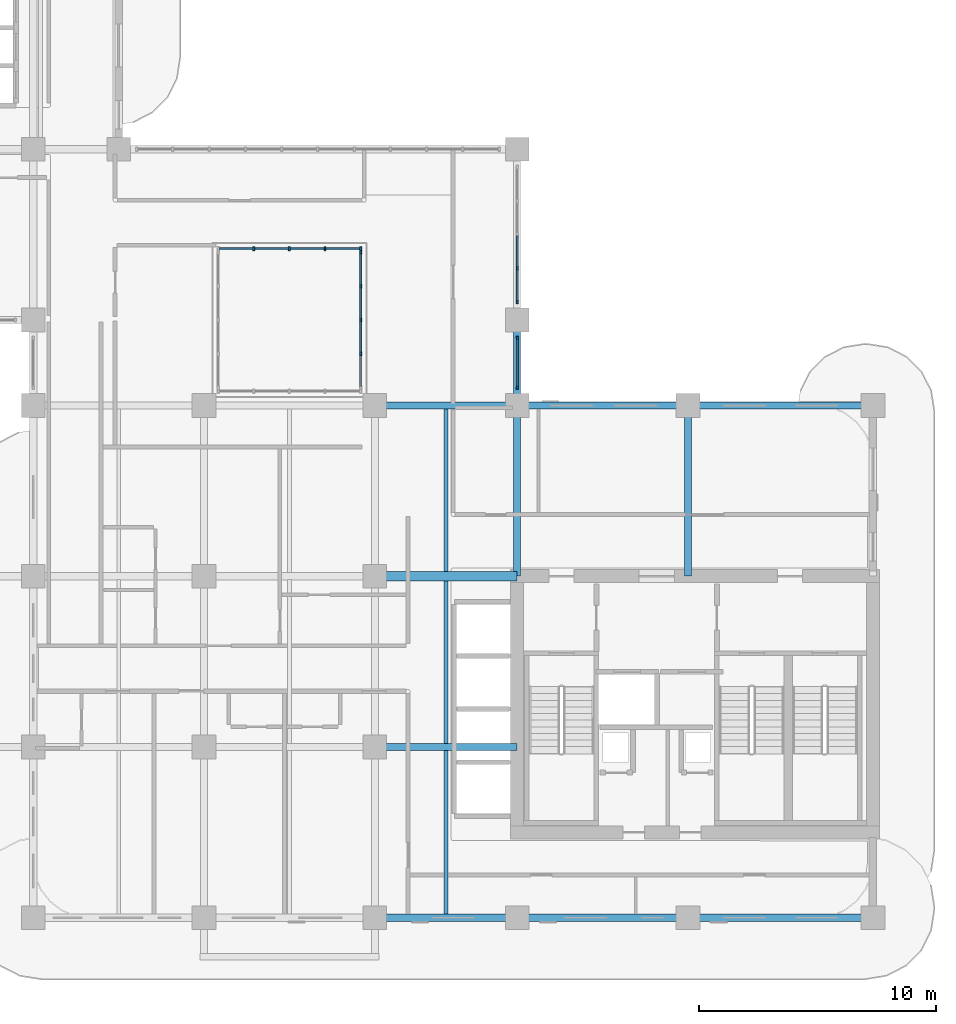
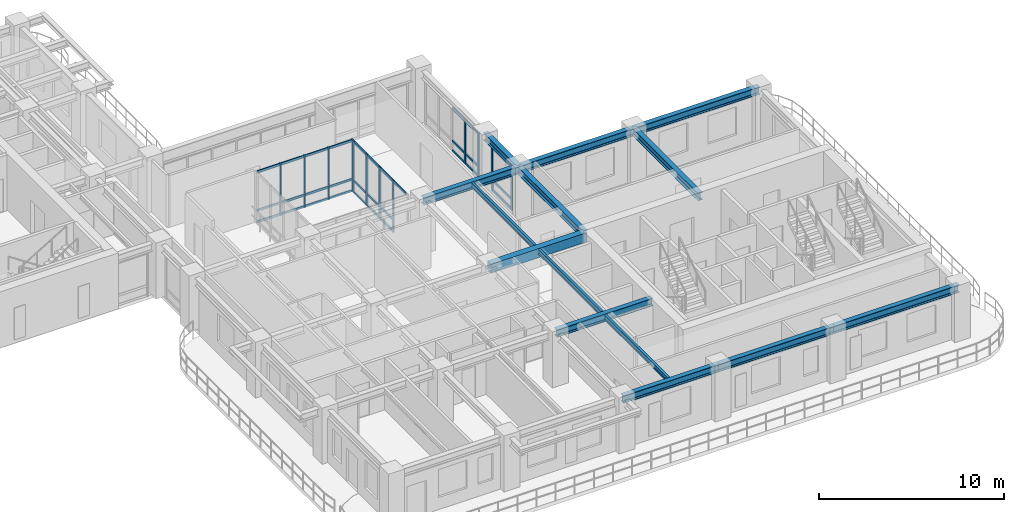
# One storey, part 3 of 20: 43 members, 14 beams, 4 elements without a shape of their own.
"""IFC4 building model written with IfcOpenShell, lengths in metres."""

import ifcopenshell
import ifcopenshell.guid

model = None  # the IFC model being written
_history = None  # IfcOwnerHistory: only IFC2X3 demands one
_inside = {}  # id of a spatial element -> (the spatial element, [elements in it])
_under = {}  # id of a project, library or spatial element -> (it, [spatial elements below it])
_declared = {}  # id of a project -> (the project, [libraries it declares])
_typed = {}  # id of a type object -> (the type object, [elements of that type])
_made_of = {}  # id of a material, layer set ... -> (it, [elements and type objects made of it])


def new_model(schema):
    """Start an empty IFC model of exactly this schema.

    Asked for "IFC4X3", IfcOpenShell would pick the latest addendum, in which some entities
    have other attributes; the version numbers below select the first issue.
    IFC2X3 requires an IfcOwnerHistory on every rooted entity: one is made here for all.
    """
    global model, _history
    if schema == "IFC4X3":
        model = ifcopenshell.file(schema_version=(4, 3, 0, 0))
    else:
        model = ifcopenshell.file(schema=schema)
    _inside.clear()
    _under.clear()
    _declared.clear()
    _typed.clear()
    _made_of.clear()
    _history = None
    if model.schema == "IFC2X3":
        org = make("IfcOrganization", Name="unknown")
        user = make(
            "IfcPersonAndOrganization",
            ThePerson=make("IfcPerson", FamilyName="unknown"),
            TheOrganization=org,
        )
        app = make(
            "IfcApplication",
            ApplicationDeveloper=org,
            Version="unknown",
            ApplicationFullName="unknown",
            ApplicationIdentifier="unknown",
        )
        _history = make(
            "IfcOwnerHistory",
            OwningUser=user,
            OwningApplication=app,
            ChangeAction="ADDED",
            CreationDate=0,
        )
    return model


def make(cls, **values):
    """One entity of the class cls with the attributes given. An attribute that is None is left unset."""
    return model.create_entity(
        cls, **{name: value for name, value in values.items() if value is not None}
    )


def rooted(cls, **values):
    """An entity with a GlobalId (a new one), such as an element, a storey or a relation."""
    return make(cls, GlobalId=ifcopenshell.guid.new(), OwnerHistory=_history, **values)


def si_unit(unit_type, name, prefix=None):
    """IfcSIUnit, for example si_unit("LENGTHUNIT", "METRE", prefix="MILLI")."""
    return make("IfcSIUnit", UnitType=unit_type, Prefix=prefix, Name=name)


def derived_unit(unit_type, elements):
    """IfcDerivedUnit: a product of units, each with its exponent."""
    return make(
        "IfcDerivedUnit",
        Elements=[
            make("IfcDerivedUnitElement", Unit=unit, Exponent=power)
            for unit, power in elements
        ],
        UnitType=unit_type,
    )


def assignment(units):
    """IfcUnitAssignment: the units of a project."""
    return None if units is None else make("IfcUnitAssignment", Units=units)


def point(xyz):
    """IfcCartesianPoint."""
    return None if xyz is None else make("IfcCartesianPoint", Coordinates=xyz)


def direction(xyz):
    """IfcDirection."""
    return None if xyz is None else make("IfcDirection", DirectionRatios=xyz)


def frame(location, z_axis=None, x_axis=None):
    """IfcAxis2Placement3D, a coordinate frame: its origin and axes. An axis left out is left unset."""
    return make(
        "IfcAxis2Placement3D",
        Location=point(location),
        Axis=direction(z_axis),
        RefDirection=direction(x_axis),
    )


def frame_2d(location, x_axis=None):
    """IfcAxis2Placement2D, a coordinate frame in the plane: its origin and x axis."""
    return make(
        "IfcAxis2Placement2D", Location=point(location), RefDirection=direction(x_axis)
    )


def origin():
    """The frame at (0, 0, 0) with its axes left unset."""
    return frame((0.0, 0.0, 0.0))


def origin_2d():
    """The frame at (0, 0) in the plane with its x axis left unset."""
    return frame_2d((0.0, 0.0))


def place(relative_to, where):
    """IfcLocalPlacement: puts the frame where relative to a parent placement (None: the world)."""
    return make(
        "IfcLocalPlacement", PlacementRelTo=relative_to, RelativePlacement=where
    )


def context(
    kind, dimensions, precision=None, world=None, true_north=None, identifier=None
):
    """IfcGeometricRepresentationContext, for example the 3D "Model" context."""
    return make(
        "IfcGeometricRepresentationContext",
        ContextIdentifier=identifier,
        ContextType=kind,
        CoordinateSpaceDimension=dimensions,
        Precision=precision,
        WorldCoordinateSystem=world,
        TrueNorth=true_north,
    )


def subcontext(parent, identifier, kind, view, scale=None):
    """IfcGeometricRepresentationSubContext, for example "Body" below "Model"."""
    return make(
        "IfcGeometricRepresentationSubContext",
        ContextIdentifier=identifier,
        ContextType=kind,
        ParentContext=parent,
        TargetScale=scale,
        TargetView=view,
    )


def project(units=None, contexts=None):
    """IfcProject with its units and contexts."""
    return rooted(
        "IfcProject",
        Name="project",
        RepresentationContexts=contexts,
        UnitsInContext=assignment(units),
    )


def spatial(cls, under=None, at=None, **own):
    """A site, building, storey or space (cls), placed at a placement, below another one or the project."""
    s = rooted(cls, ObjectPlacement=at, **own)
    if under is not None:
        _under.setdefault(under.id(), (under, []))[1].append(s)
    return s


def profile(cls, at=None, kind="AREA", **sizes):
    """A parametric profile (cls). Its sizes go by their IFC names, for example OverallWidth=200.0."""
    return make(cls, ProfileType=kind, Position=at, **sizes)


def rectangle(**sizes):
    """IfcRectangleProfileDef."""
    return profile("IfcRectangleProfileDef", **sizes)


def i_section(**sizes):
    """IfcIShapeProfileDef."""
    return profile("IfcIShapeProfileDef", **sizes)


def extrude(swept, where, along, depth):
    """IfcExtrudedAreaSolid: the profile swept, set in the frame where, extruded along a direction by depth."""
    return make(
        "IfcExtrudedAreaSolid",
        SweptArea=swept,
        Position=where,
        ExtrudedDirection=direction(along),
        Depth=depth,
    )


def shape(context_of_items, identifier, shape_type, items):
    """IfcShapeRepresentation: the items that make up one representation, for example the "Body"."""
    return make(
        "IfcShapeRepresentation",
        ContextOfItems=context_of_items,
        RepresentationIdentifier=identifier,
        RepresentationType=shape_type,
        Items=items,
    )


def source(mapping_origin, context_of_items, identifier, shape_type, items):
    """IfcRepresentationMap: a shape defined once, which mapped items show again and again."""
    return make(
        "IfcRepresentationMap",
        MappingOrigin=mapping_origin,
        MappedRepresentation=shape(context_of_items, identifier, shape_type, items),
    )


def transform(
    local_origin,
    x_axis=None,
    y_axis=None,
    z_axis=None,
    scale=None,
    scale2=None,
    scale3=None,
    uniform=True,
):
    """IfcCartesianTransformationOperator3D, or its non-uniform kind. x_axis, y_axis, z_axis: its Axis1, 2, 3."""
    if uniform:
        return make(
            "IfcCartesianTransformationOperator3D",
            Axis1=direction(x_axis),
            Axis2=direction(y_axis),
            LocalOrigin=point(local_origin),
            Scale=scale,
            Axis3=direction(z_axis),
        )
    return make(
        "IfcCartesianTransformationOperator3DnonUniform",
        Axis1=direction(x_axis),
        Axis2=direction(y_axis),
        LocalOrigin=point(local_origin),
        Scale=scale,
        Axis3=direction(z_axis),
        Scale2=scale2,
        Scale3=scale3,
    )


def mapped(mapping_source, mapping_target):
    """IfcMappedItem: shows the shape of a source again, moved by a transform."""
    return make(
        "IfcMappedItem", MappingSource=mapping_source, MappingTarget=mapping_target
    )


def material(Name=None, Category=None):
    """IfcMaterial."""
    return make("IfcMaterial", Name=Name, Category=Category)


def layer(
    of_material, thickness, ventilated=None, Name=None, Category=None, Priority=None
):
    """IfcMaterialLayer: one layer of a wall or slab, of a material (None: an air gap)."""
    return make(
        "IfcMaterialLayer",
        Material=of_material,
        LayerThickness=thickness,
        IsVentilated=ventilated,
        Name=Name,
        Category=Category,
        Priority=Priority,
    )


def layer_set(layers, Name=None):
    """IfcMaterialLayerSet."""
    return make("IfcMaterialLayerSet", MaterialLayers=layers, LayerSetName=Name)


def material_profile(
    of_material, cross_section, Name=None, Category=None, Priority=None
):
    """IfcMaterialProfile: a cross section and its material."""
    return make(
        "IfcMaterialProfile",
        Name=Name,
        Material=of_material,
        Profile=cross_section,
        Priority=Priority,
        Category=Category,
    )


def profile_set(profiles, Name=None, composite=None):
    """IfcMaterialProfileSet."""
    return make(
        "IfcMaterialProfileSet",
        Name=Name,
        MaterialProfiles=profiles,
        CompositeProfile=composite,
    )


def made_of(thing, what):
    """Note that an element or type object is made of a material, layer set ...; save() writes the relation."""
    if what is not None:
        _made_of.setdefault(what.id(), (what, []))[1].append(thing)
    return thing


def type_object(cls, material=None, **own):
    """A type object (cls), such as IfcWallType, which elements share."""
    return made_of(rooted(cls, **own), material)


def type_shapes(of_type, sources):
    """Give a type object the sources (RepresentationMaps) that its elements show as mapped items."""
    of_type.RepresentationMaps = sources


def element(
    cls,
    number,
    at=None,
    inside=None,
    cuts=None,
    type_object=None,
    material=None,
    context=None,
    identifier="Body",
    shape_type=None,
    held_by="IfcProductDefinitionShape",
    body=None,
    shapes=None,
    **own,
):
    """One element of the class cls, such as IfcWall. Its Tag is "e" and its number.

    at: its placement. inside: the storey or other place that contains it. cuts: it is an
    opening in that element (IfcRelVoidsElement). A single representation is given by context,
    identifier, shape_type and body (its items); several are given by shapes. held_by: the class
    of the entity that holds the representations. save() writes the other relations.
    """
    e = rooted(cls, Tag="e%d" % number, ObjectPlacement=at, **own)
    if body is not None:
        shapes = [shape(context, identifier, shape_type, body)]
    if shapes is not None:
        e.Representation = make(held_by, Representations=shapes)
    if inside is not None:
        _inside.setdefault(inside.id(), (inside, []))[1].append(e)
    if cuts is not None:
        rooted(
            "IfcRelVoidsElement", RelatingBuildingElement=cuts, RelatedOpeningElement=e
        )
    if type_object is not None:
        _typed.setdefault(type_object.id(), (type_object, []))[1].append(e)
    return made_of(e, material)


def aggregate(whole, parts):
    """IfcRelAggregates: a whole, such as a stair, and the parts it consists of."""
    return rooted("IfcRelAggregates", RelatingObject=whole, RelatedObjects=parts)


def save(model, path):
    """Write the relations noted so far, then the file.

    IfcRelAggregates (storeys below a building ...), IfcRelContainedInSpatialStructure (elements
    in a storey), IfcRelDefinesByType, IfcRelAssociatesMaterial and IfcRelDeclares: one each for
    every whole, place, type object, material and project.
    """
    for whole, parts in _under.values():
        aggregate(whole, parts)
    for where, things in _inside.values():
        rooted(
            "IfcRelContainedInSpatialStructure",
            RelatedElements=things,
            RelatingStructure=where,
        )
    for kind, things in _typed.values():
        rooted("IfcRelDefinesByType", RelatedObjects=things, RelatingType=kind)
    for what, things in _made_of.values():
        rooted("IfcRelAssociatesMaterial", RelatedObjects=things, RelatingMaterial=what)
    for by, libraries in _declared.values():
        rooted("IfcRelDeclares", RelatingContext=by, RelatedDefinitions=libraries)
    model.write(path)


model = new_model("IFC4")

# Units and contexts
model_context = context("Model", 3, precision=1e-05, world=origin(), true_north=direction((0.0, 1.0)))
body_context = subcontext(model_context, "Body", "Model", "MODEL_VIEW")
ifc_project = project(units=[si_unit("LENGTHUNIT", "METRE"), si_unit("AREAUNIT", "SQUARE_METRE"), si_unit("VOLUMEUNIT", "CUBIC_METRE"), si_unit("PLANEANGLEUNIT", "RADIAN"), si_unit("MASSUNIT", "GRAM", prefix="KILO"), si_unit("THERMODYNAMICTEMPERATUREUNIT", "KELVIN"), si_unit("POWERUNIT", "WATT"), derived_unit("THERMALTRANSMITTANCEUNIT", [(si_unit("POWERUNIT", "WATT"), 1), (si_unit("AREAUNIT", "SQUARE_METRE"), -1), (si_unit("THERMODYNAMICTEMPERATUREUNIT", "KELVIN"), -1)])], contexts=[model_context])

# Site, building, storey
site_placement = place(None, origin())
site = spatial("IfcSite", under=ifc_project, at=site_placement, CompositionType="ELEMENT")
building_placement = place(site_placement, origin())
building = spatial("IfcBuilding", under=site, at=building_placement, Name="Zahravan Archway Hotel and Residences", CompositionType="ELEMENT")
storey_placement = place(building_placement, frame((0.0, 0.0, 130.300048828125)))
storey = spatial("IfcBuildingStorey", under=building, at=storey_placement, Name="L32", CompositionType="ELEMENT", Elevation=130.300048828125)

# Beams
ifc_material_1 = material(Name="Concrete C60/75", Category="concrete")
ifc_material_profile_1 = material_profile(ifc_material_1, rectangle(XDim=0.39990234375, YDim=0.60009765625, at=origin_2d()), Name="RC-LNT-400x600", Category="concrete")
ifc_profile_set_1 = profile_set([ifc_material_profile_1], Name="Concrete C60/75")
beam_type_1 = type_object("IfcBeamType", Name="LNT-RC-400x600", PredefinedType="LINTEL", material=ifc_profile_set_1)
shared_shape_1 = source(origin(), body_context, "Body", "SweptSolid", [
    extrude(rectangle(XDim=0.39990234375, YDim=0.60009765625, at=origin_2d()), origin(), (0.0, 0.0, 1.0), 6.0),
])
type_shapes(beam_type_1, [shared_shape_1])
beam_1_placement = place(storey_placement, frame((28.800048828125, 14.39990234375, 3.14990234375), z_axis=(1.0, 0.0, 0.0), x_axis=(0.0, 1.0, 0.0)))
element("IfcBeam", 1, at=beam_1_placement, inside=storey, type_object=beam_type_1, Name="L32 Core A Coupling Lintel Beam", PredefinedType="LINTEL", context=body_context, shape_type="MappedRepresentation", body=[
    mapped(shared_shape_1, transform((0.0, 0.0, 0.0), scale=1.0)),
])
ifc_material_2 = material(Name="Structural Steel S355JR", Category="steel")
ifc_material_profile_2 = material_profile(ifc_material_2, i_section(OverallWidth=0.300048828125, OverallDepth=0.5, WebThickness=0.014404296875, FlangeThickness=0.028076171875, FilletRadius=0.027099609375, at=origin_2d()), Name="HEB 500", Category="steel")
ifc_profile_set_2 = profile_set([ifc_material_profile_2], Name="Structural Steel S355JR")
beam_type_2 = type_object("IfcBeamType", Name="BM-PRI-HEB500", PredefinedType="BEAM", material=ifc_profile_set_2)
shared_shape_2 = source(origin(), body_context, "Body", "SweptSolid", [
    extrude(i_section(OverallWidth=0.300048828125, OverallDepth=0.5, WebThickness=0.014404296875, FlangeThickness=0.028076171875, FilletRadius=0.027099609375, at=origin_2d()), origin(), (0.0, 0.0, 1.0), 7.2001953125),
])
type_shapes(beam_type_2, [shared_shape_2])
for number, where, z_axis, x_axis, name in (
    (2, (34.800048828125, 14.39990234375, 3.199951171875), (0.0, 1.0, 0.0), (-1.0, 0.0, 0.0), "L32 Primary Girder NS-41"),
    (3, (42.0, 14.39990234375, 3.199951171875), (0.0, 1.0, 0.0), (-1.0, 0.0, 0.0), "L32 Primary Girder NS-44"),
):
    element("IfcBeam", number, at=place(storey_placement, frame(where, z_axis=z_axis, x_axis=x_axis)), inside=storey, type_object=beam_type_2, Name=name, PredefinedType="BEAM", context=body_context, shape_type="MappedRepresentation", body=[
        mapped(shared_shape_2, transform((0.0, 0.0, 0.0), scale=1.0)),
    ])
shared_shape_3 = source(origin(), body_context, "Body", "SweptSolid", [
    extrude(i_section(OverallWidth=0.300048828125, OverallDepth=0.5, WebThickness=0.014404296875, FlangeThickness=0.028076171875, FilletRadius=0.027099609375, at=origin_2d()), origin(), (0.0, 0.0, 1.0), 7.199951171875),
])
for number, where, z_axis, x_axis, name in (
    (4, (34.800048828125, 0.0, 3.199951171875), (1.0, 0.0, 0.0), (0.0, 1.0, 0.0), "L32 Primary Girder EW-04"),
    (5, (34.800048828125, 21.60009765625, 3.199951171875), (1.0, 0.0, 0.0), (0.0, 1.0, 0.0), "L32 Primary Girder EW-14"),
):
    element("IfcBeam", number, at=place(storey_placement, frame(where, z_axis=z_axis, x_axis=x_axis)), inside=storey, type_object=beam_type_2, Name=name, PredefinedType="BEAM", context=body_context, shape_type="MappedRepresentation", body=[
        mapped(shared_shape_3, transform((0.0, 0.0, 0.0), scale=1.0)),
    ])
shared_shape_4 = source(origin(), body_context, "Body", "SweptSolid", [
    extrude(i_section(OverallWidth=0.300048828125, OverallDepth=0.5, WebThickness=0.014404296875, FlangeThickness=0.028076171875, FilletRadius=0.027099609375, at=origin_2d()), origin(), (0.0, 0.0, 1.0), 6.0),
])
for number, where, z_axis, x_axis, name in (
    (6, (28.800048828125, 0.0, 3.199951171875), (1.0, 0.0, 0.0), (0.0, 1.0, 0.0), "L32 Primary Girder EW-03"),
    (7, (28.800048828125, 7.199951171875, 3.199951171875), (1.0, 0.0, 0.0), (0.0, 1.0, 0.0), "L32 Primary Girder EW-08"),
    (8, (28.800048828125, 21.60009765625, 3.199951171875), (1.0, 0.0, 0.0), (0.0, 1.0, 0.0), "L32 Primary Girder EW-13"),
):
    element("IfcBeam", number, at=place(storey_placement, frame(where, z_axis=z_axis, x_axis=x_axis)), inside=storey, type_object=beam_type_2, Name=name, PredefinedType="BEAM", context=body_context, shape_type="MappedRepresentation", body=[
        mapped(shared_shape_4, transform((0.0, 0.0, 0.0), scale=1.0)),
    ])
shared_shape_5 = source(origin(), body_context, "Body", "SweptSolid", [
    extrude(i_section(OverallWidth=0.300048828125, OverallDepth=0.5, WebThickness=0.014404296875, FlangeThickness=0.028076171875, FilletRadius=0.027099609375, at=origin_2d()), origin(), (0.0, 0.0, 1.0), 7.800048828125),
])
for number, where, z_axis, x_axis, name in (
    (9, (42.0, 0.0, 3.199951171875), (1.0, 0.0, 0.0), (0.0, 1.0, 0.0), "L32 Primary Girder EW-05"),
    (10, (42.0, 21.60009765625, 3.199951171875), (1.0, 0.0, 0.0), (0.0, 1.0, 0.0), "L32 Primary Girder EW-15"),
):
    element("IfcBeam", number, at=place(storey_placement, frame(where, z_axis=z_axis, x_axis=x_axis)), inside=storey, type_object=beam_type_2, Name=name, PredefinedType="BEAM", context=body_context, shape_type="MappedRepresentation", body=[
        mapped(shared_shape_5, transform((0.0, 0.0, 0.0), scale=1.0)),
    ])
shared_shape_6 = source(origin(), body_context, "Body", "SweptSolid", [
    extrude(i_section(OverallWidth=0.300048828125, OverallDepth=0.5, WebThickness=0.014404296875, FlangeThickness=0.028076171875, FilletRadius=0.027099609375, at=origin_2d()), origin(), (0.0, 0.0, 1.0), 3.599853515625),
])
beam_2_placement = place(storey_placement, frame((34.800048828125, 21.60009765625, 3.199951171875), z_axis=(0.0, 1.0, 0.0), x_axis=(-1.0, 0.0, 0.0)))
element("IfcBeam", 11, at=beam_2_placement, inside=storey, type_object=beam_type_2, Name="L32 Primary Girder NS-42", PredefinedType="BEAM", context=body_context, shape_type="MappedRepresentation", body=[
    mapped(shared_shape_6, transform((0.0, 0.0, 0.0), scale=1.0)),
])
ifc_material_profile_3 = material_profile(ifc_material_2, i_section(OverallWidth=0.159912109375, OverallDepth=0.330078125, WebThickness=0.007568359375, FlangeThickness=0.011474609375, FilletRadius=0.01806640625, at=origin_2d()), Name="IPE 330", Category="steel")
ifc_profile_set_3 = profile_set([ifc_material_profile_3], Name="Structural Steel S355JR")
beam_type_3 = type_object("IfcBeamType", Name="BM-JST-IPE330", PredefinedType="JOIST", material=ifc_profile_set_3)
shared_shape_7 = source(origin(), body_context, "Body", "SweptSolid", [
    extrude(i_section(OverallWidth=0.159912109375, OverallDepth=0.330078125, WebThickness=0.007568359375, FlangeThickness=0.011474609375, FilletRadius=0.01806640625, at=origin_2d()), origin(), (0.0, 0.0, 1.0), 6.904052734375),
])
type_shapes(beam_type_3, [shared_shape_7])
beam_3_placement = place(storey_placement, frame((31.800048828125, 0.14794921875, 3.284912109375), z_axis=(0.0, 1.0, 0.0), x_axis=(-1.0, 0.0, 0.0)))
element("IfcBeam", 12, at=beam_3_placement, inside=storey, type_object=beam_type_3, Name="L32 Composite Floor Joist 03", PredefinedType="JOIST", context=body_context, shape_type="MappedRepresentation", body=[
    mapped(shared_shape_7, transform((0.0, 0.0, 0.0), scale=1.0)),
])
shared_shape_8 = source(origin(), body_context, "Body", "SweptSolid", [
    extrude(i_section(OverallWidth=0.159912109375, OverallDepth=0.330078125, WebThickness=0.007568359375, FlangeThickness=0.011474609375, FilletRadius=0.01806640625, at=origin_2d()), origin(), (0.0, 0.0, 1.0), 6.85400390625),
])
for number, where, z_axis, x_axis, name in (
    (13, (31.800048828125, 7.347900390625, 3.284912109375), (0.0, 1.0, 0.0), (-1.0, 0.0, 0.0), "L32 Composite Floor Joist 06"),
    (14, (31.800048828125, 14.597900390625, 3.284912109375), (0.0, 1.0, 0.0), (-1.0, 0.0, 0.0), "L32 Composite Floor Joist 07"),
):
    element("IfcBeam", number, at=place(storey_placement, frame(where, z_axis=z_axis, x_axis=x_axis)), inside=storey, type_object=beam_type_3, Name=name, PredefinedType="JOIST", context=body_context, shape_type="MappedRepresentation", body=[
        mapped(shared_shape_8, transform((0.0, 0.0, 0.0), scale=1.0)),
    ])

# Curtain wall, members
ifc_material_3 = material(Name="Bronze-Anodized Unitised Aluminium & Low-E Glass", Category="aluminium")
ifc_layer = layer(ifc_material_3, 0.179931640625, Name="Bronze-Anodized Unitised Aluminium & Low-E Glass", Category="aluminium")
ifc_layer_set = layer_set([ifc_layer], Name="Bronze-Anodized Unitised Aluminium & Low-E Glass")
curtain_wall_type = type_object("IfcCurtainWallType", Name="CW-ATR-GLAZ", PredefinedType="NOTDEFINED", material=ifc_layer_set)
curtain_wall_1_placement = place(storey_placement, origin())
curtain_wall_1 = element("IfcCurtainWall", 15, at=curtain_wall_1_placement, inside=storey, type_object=curtain_wall_type, Name="L32 Curtain Wall CW-L32-HNG-E-2", PredefinedType="NOTDEFINED")
ifc_material_4 = material(Name="Bronze-Anodized Extruded Aluminium", Category="aluminium")
ifc_material_profile_4 = material_profile(ifc_material_4, rectangle(XDim=0.080078125, YDim=0.139892578125, at=origin_2d()), Name="TRN 80x140", Category="aluminium")
ifc_profile_set_4 = profile_set([ifc_material_profile_4], Name="Bronze-Anodized Extruded Aluminium")
member_type_1 = type_object("IfcMemberType", Name="CWM-TRN-140", PredefinedType="USERDEFINED", material=ifc_profile_set_4)
shared_shape_9 = source(origin(), body_context, "Body", "SweptSolid", [
    extrude(rectangle(XDim=0.080078125, YDim=0.139892578125, at=origin_2d()), origin(), (0.0, 0.0, 1.0), 1.340087890625),
])
member_1_placement = place(storey_placement, frame((34.800048828125, 26.0, 0.070068359375), z_axis=(0.0, 1.0, 0.0), x_axis=(-1.0, 0.0, 0.0)))
member_1 = element("IfcMember", 16, at=member_1_placement, type_object=member_type_1, Name="CW-L32-HNG-E-2 Transom 0-1", ObjectType="TRANSOM", PredefinedType="USERDEFINED", context=body_context, shape_type="MappedRepresentation", body=[
    mapped(shared_shape_9, transform((0.0, 0.0, 0.0), scale=1.0)),
])
member_2_placement = place(storey_placement, frame((34.800048828125, 26.0, 0.704345703125), z_axis=(0.0, 1.0, 0.0), x_axis=(-1.0, 0.0, 0.0)))
member_2 = element("IfcMember", 17, at=member_2_placement, type_object=member_type_1, Name="CW-L32-HNG-E-2 Transom 0-2", ObjectType="TRANSOM", PredefinedType="USERDEFINED", context=body_context, shape_type="MappedRepresentation", body=[
    mapped(shared_shape_9, transform((0.0, 0.0, 0.0), scale=1.0)),
])
member_3_placement = place(storey_placement, frame((34.800048828125, 26.0, 2.864990234375), z_axis=(0.0, 1.0, 0.0), x_axis=(-1.0, 0.0, 0.0)))
member_3 = element("IfcMember", 18, at=member_3_placement, type_object=member_type_1, Name="CW-L32-HNG-E-2 Transom 0-3", ObjectType="TRANSOM", PredefinedType="USERDEFINED", context=body_context, shape_type="MappedRepresentation", body=[
    mapped(shared_shape_9, transform((0.0, 0.0, 0.0), scale=1.0)),
])
member_4_placement = place(storey_placement, frame((34.800048828125, 27.419921875, 0.070068359375), z_axis=(0.0, 1.0, 0.0), x_axis=(-1.0, 0.0, 0.0)))
member_4 = element("IfcMember", 19, at=member_4_placement, type_object=member_type_1, Name="CW-L32-HNG-E-2 Transom 1-1", ObjectType="TRANSOM", PredefinedType="USERDEFINED", context=body_context, shape_type="MappedRepresentation", body=[
    mapped(shared_shape_9, transform((0.0, 0.0, 0.0), scale=1.0)),
])
member_5_placement = place(storey_placement, frame((34.800048828125, 27.419921875, 0.704345703125), z_axis=(0.0, 1.0, 0.0), x_axis=(-1.0, 0.0, 0.0)))
member_5 = element("IfcMember", 20, at=member_5_placement, type_object=member_type_1, Name="CW-L32-HNG-E-2 Transom 1-2", ObjectType="TRANSOM", PredefinedType="USERDEFINED", context=body_context, shape_type="MappedRepresentation", body=[
    mapped(shared_shape_9, transform((0.0, 0.0, 0.0), scale=1.0)),
])
member_6_placement = place(storey_placement, frame((34.800048828125, 27.419921875, 2.864990234375), z_axis=(0.0, 1.0, 0.0), x_axis=(-1.0, 0.0, 0.0)))
member_6 = element("IfcMember", 21, at=member_6_placement, type_object=member_type_1, Name="CW-L32-HNG-E-2 Transom 1-3", ObjectType="TRANSOM", PredefinedType="USERDEFINED", context=body_context, shape_type="MappedRepresentation", body=[
    mapped(shared_shape_9, transform((0.0, 0.0, 0.0), scale=1.0)),
])

curtain_wall_2_placement = place(storey_placement, origin())
curtain_wall_2 = element("IfcCurtainWall", 22, at=curtain_wall_2_placement, inside=storey, type_object=curtain_wall_type, Name="L32 Curtain Wall CW-L32-HNG-E-1", PredefinedType="NOTDEFINED")
shared_shape_10 = source(origin(), body_context, "Body", "SweptSolid", [
    extrude(rectangle(XDim=0.080078125, YDim=0.139892578125, at=origin_2d()), origin(), (0.0, 0.0, 1.0), 2.0),
])
member_7_placement = place(storey_placement, frame((34.800048828125, 22.39990234375, 0.070068359375), z_axis=(0.0, 1.0, 0.0), x_axis=(-1.0, 0.0, 0.0)))
member_7 = element("IfcMember", 23, at=member_7_placement, type_object=member_type_1, Name="CW-L32-HNG-E-1 Transom 0-1", ObjectType="TRANSOM", PredefinedType="USERDEFINED", context=body_context, shape_type="MappedRepresentation", body=[
    mapped(shared_shape_10, transform((0.0, 0.0, 0.0), scale=1.0)),
])
member_8_placement = place(storey_placement, frame((34.800048828125, 22.39990234375, 0.704345703125), z_axis=(0.0, 1.0, 0.0), x_axis=(-1.0, 0.0, 0.0)))
member_8 = element("IfcMember", 24, at=member_8_placement, type_object=member_type_1, Name="CW-L32-HNG-E-1 Transom 0-2", ObjectType="TRANSOM", PredefinedType="USERDEFINED", context=body_context, shape_type="MappedRepresentation", body=[
    mapped(shared_shape_10, transform((0.0, 0.0, 0.0), scale=1.0)),
])
member_9_placement = place(storey_placement, frame((34.800048828125, 22.39990234375, 2.864990234375), z_axis=(0.0, 1.0, 0.0), x_axis=(-1.0, 0.0, 0.0)))
member_9 = element("IfcMember", 25, at=member_9_placement, type_object=member_type_1, Name="CW-L32-HNG-E-1 Transom 0-3", ObjectType="TRANSOM", PredefinedType="USERDEFINED", context=body_context, shape_type="MappedRepresentation", body=[
    mapped(shared_shape_10, transform((0.0, 0.0, 0.0), scale=1.0)),
])

curtain_wall_3_placement = place(storey_placement, origin())
curtain_wall_3 = element("IfcCurtainWall", 26, at=curtain_wall_3_placement, inside=storey, type_object=curtain_wall_type, Name="L32 Curtain Wall CW-ATR-L32-N-1", PredefinedType="NOTDEFINED")
ifc_material_profile_5 = material_profile(ifc_material_4, rectangle(XDim=0.080078125, YDim=0.159912109375, at=origin_2d()), Name="MUL 80x160", Category="aluminium")
ifc_profile_set_5 = profile_set([ifc_material_profile_5], Name="Bronze-Anodized Extruded Aluminium")
member_type_2 = type_object("IfcMemberType", Name="CWM-MUL-160", PredefinedType="MULLION", material=ifc_profile_set_5)
shared_shape_11 = source(origin(), body_context, "Body", "SweptSolid", [
    extrude(rectangle(XDim=0.080078125, YDim=0.159912109375, at=origin_2d()), origin(), (0.0, 0.0, 1.0), 3.449951171875),
])
member_10_placement = place(storey_placement, frame((23.699951171875, 28.199951171875, 0.0), z_axis=(0.0, 0.0, 1.0), x_axis=(1.0, 0.0, 0.0)))
member_10 = element("IfcMember", 27, at=member_10_placement, type_object=member_type_2, Name="CW-ATR-L32-N-1 Mullion 1", PredefinedType="MULLION", context=body_context, shape_type="MappedRepresentation", body=[
    mapped(shared_shape_11, transform((0.0, 0.0, 0.0), scale=1.0)),
])
member_11_placement = place(storey_placement, frame((25.199951171875, 28.199951171875, 0.0), z_axis=(0.0, 0.0, 1.0), x_axis=(1.0, 0.0, 0.0)))
member_11 = element("IfcMember", 28, at=member_11_placement, type_object=member_type_2, Name="CW-ATR-L32-N-1 Mullion 2", PredefinedType="MULLION", context=body_context, shape_type="MappedRepresentation", body=[
    mapped(shared_shape_11, transform((0.0, 0.0, 0.0), scale=1.0)),
])
member_12_placement = place(storey_placement, frame((26.699951171875, 28.199951171875, 0.0), z_axis=(0.0, 0.0, 1.0), x_axis=(1.0, 0.0, 0.0)))
member_12 = element("IfcMember", 29, at=member_12_placement, type_object=member_type_2, Name="CW-ATR-L32-N-1 Mullion 3", PredefinedType="MULLION", context=body_context, shape_type="MappedRepresentation", body=[
    mapped(shared_shape_11, transform((0.0, 0.0, 0.0), scale=1.0)),
])
member_13_placement = place(storey_placement, frame((28.199951171875, 28.199951171875, 0.0), z_axis=(0.0, 0.0, 1.0), x_axis=(1.0, 0.0, 0.0)))
member_13 = element("IfcMember", 30, at=member_13_placement, type_object=member_type_2, Name="CW-ATR-L32-N-1 Mullion 4", PredefinedType="MULLION", context=body_context, shape_type="MappedRepresentation", body=[
    mapped(shared_shape_11, transform((0.0, 0.0, 0.0), scale=1.0)),
])

curtain_wall_4_placement = place(storey_placement, origin())
curtain_wall_4 = element("IfcCurtainWall", 31, at=curtain_wall_4_placement, inside=storey, type_object=curtain_wall_type, Name="L32 Curtain Wall CW-ATR-L32-E-1", PredefinedType="NOTDEFINED")
member_14_placement = place(storey_placement, frame((28.199951171875, 23.77490234375, 0.0), z_axis=(0.0, 0.0, 1.0), x_axis=(1.0, 0.0, 0.0)))
member_14 = element("IfcMember", 32, at=member_14_placement, type_object=member_type_2, Name="CW-ATR-L32-E-1 Mullion 1", PredefinedType="MULLION", context=body_context, shape_type="MappedRepresentation", body=[
    mapped(shared_shape_11, transform((0.0, 0.0, 0.0), scale=1.0)),
])
member_15_placement = place(storey_placement, frame((28.199951171875, 25.199951171875, 0.0), z_axis=(0.0, 0.0, 1.0), x_axis=(1.0, 0.0, 0.0)))
member_15 = element("IfcMember", 33, at=member_15_placement, type_object=member_type_2, Name="CW-ATR-L32-E-1 Mullion 2", PredefinedType="MULLION", context=body_context, shape_type="MappedRepresentation", body=[
    mapped(shared_shape_11, transform((0.0, 0.0, 0.0), scale=1.0)),
])
member_16_placement = place(storey_placement, frame((28.199951171875, 26.625, 0.0), z_axis=(0.0, 0.0, 1.0), x_axis=(1.0, 0.0, 0.0)))
member_16 = element("IfcMember", 34, at=member_16_placement, type_object=member_type_2, Name="CW-ATR-L32-E-1 Mullion 3", PredefinedType="MULLION", context=body_context, shape_type="MappedRepresentation", body=[
    mapped(shared_shape_11, transform((0.0, 0.0, 0.0), scale=1.0)),
])
member_17_placement = place(storey_placement, frame((28.199951171875, 28.050048828125, 0.0), z_axis=(0.0, 0.0, 1.0), x_axis=(1.0, 0.0, 0.0)))
member_17 = element("IfcMember", 35, at=member_17_placement, type_object=member_type_2, Name="CW-ATR-L32-E-1 Mullion 4", PredefinedType="MULLION", context=body_context, shape_type="MappedRepresentation", body=[
    mapped(shared_shape_11, transform((0.0, 0.0, 0.0), scale=1.0)),
])

# Member
shared_shape_12 = source(origin(), body_context, "Body", "SweptSolid", [
    extrude(rectangle(XDim=0.080078125, YDim=0.139892578125, at=origin_2d()), origin(), (0.0, 0.0, 1.0), 1.419921875),
])
member_18_placement = place(storey_placement, frame((22.239990234375, 28.199951171875, 0.070068359375), z_axis=(1.0, 0.0, 0.0), x_axis=(0.0, 1.0, 0.0)))
member_18 = element("IfcMember", 36, at=member_18_placement, type_object=member_type_1, Name="CW-ATR-L32-N-1 Transom 0-1", ObjectType="TRANSOM", PredefinedType="USERDEFINED", context=body_context, shape_type="MappedRepresentation", body=[
    mapped(shared_shape_12, transform((0.0, 0.0, 0.0), scale=1.0)),
])

member_19_placement = place(storey_placement, frame((22.239990234375, 28.199951171875, 0.827880859375), z_axis=(1.0, 0.0, 0.0), x_axis=(0.0, 1.0, 0.0)))
member_19 = element("IfcMember", 37, at=member_19_placement, type_object=member_type_1, Name="CW-ATR-L32-N-1 Transom 0-2", ObjectType="TRANSOM", PredefinedType="USERDEFINED", context=body_context, shape_type="MappedRepresentation", body=[
    mapped(shared_shape_12, transform((0.0, 0.0, 0.0), scale=1.0)),
])

member_20_placement = place(storey_placement, frame((22.239990234375, 28.199951171875, 3.3798828125), z_axis=(1.0, 0.0, 0.0), x_axis=(0.0, 1.0, 0.0)))
member_20 = element("IfcMember", 38, at=member_20_placement, type_object=member_type_1, Name="CW-ATR-L32-N-1 Transom 0-3", ObjectType="TRANSOM", PredefinedType="USERDEFINED", context=body_context, shape_type="MappedRepresentation", body=[
    mapped(shared_shape_12, transform((0.0, 0.0, 0.0), scale=1.0)),
])

member_21_placement = place(storey_placement, frame((23.739990234375, 28.199951171875, 0.070068359375), z_axis=(1.0, 0.0, 0.0), x_axis=(0.0, 1.0, 0.0)))
member_21 = element("IfcMember", 39, at=member_21_placement, type_object=member_type_1, Name="CW-ATR-L32-N-1 Transom 1-1", ObjectType="TRANSOM", PredefinedType="USERDEFINED", context=body_context, shape_type="MappedRepresentation", body=[
    mapped(shared_shape_12, transform((0.0, 0.0, 0.0), scale=1.0)),
])

member_22_placement = place(storey_placement, frame((23.739990234375, 28.199951171875, 0.827880859375), z_axis=(1.0, 0.0, 0.0), x_axis=(0.0, 1.0, 0.0)))
member_22 = element("IfcMember", 40, at=member_22_placement, type_object=member_type_1, Name="CW-ATR-L32-N-1 Transom 1-2", ObjectType="TRANSOM", PredefinedType="USERDEFINED", context=body_context, shape_type="MappedRepresentation", body=[
    mapped(shared_shape_12, transform((0.0, 0.0, 0.0), scale=1.0)),
])

member_23_placement = place(storey_placement, frame((23.739990234375, 28.199951171875, 3.3798828125), z_axis=(1.0, 0.0, 0.0), x_axis=(0.0, 1.0, 0.0)))
member_23 = element("IfcMember", 41, at=member_23_placement, type_object=member_type_1, Name="CW-ATR-L32-N-1 Transom 1-3", ObjectType="TRANSOM", PredefinedType="USERDEFINED", context=body_context, shape_type="MappedRepresentation", body=[
    mapped(shared_shape_12, transform((0.0, 0.0, 0.0), scale=1.0)),
])

member_24_placement = place(storey_placement, frame((25.239990234375, 28.199951171875, 0.070068359375), z_axis=(1.0, 0.0, 0.0), x_axis=(0.0, 1.0, 0.0)))
member_24 = element("IfcMember", 42, at=member_24_placement, type_object=member_type_1, Name="CW-ATR-L32-N-1 Transom 2-1", ObjectType="TRANSOM", PredefinedType="USERDEFINED", context=body_context, shape_type="MappedRepresentation", body=[
    mapped(shared_shape_12, transform((0.0, 0.0, 0.0), scale=1.0)),
])

member_25_placement = place(storey_placement, frame((25.239990234375, 28.199951171875, 0.827880859375), z_axis=(1.0, 0.0, 0.0), x_axis=(0.0, 1.0, 0.0)))
member_25 = element("IfcMember", 43, at=member_25_placement, type_object=member_type_1, Name="CW-ATR-L32-N-1 Transom 2-2", ObjectType="TRANSOM", PredefinedType="USERDEFINED", context=body_context, shape_type="MappedRepresentation", body=[
    mapped(shared_shape_12, transform((0.0, 0.0, 0.0), scale=1.0)),
])

member_26_placement = place(storey_placement, frame((25.239990234375, 28.199951171875, 3.3798828125), z_axis=(1.0, 0.0, 0.0), x_axis=(0.0, 1.0, 0.0)))
member_26 = element("IfcMember", 44, at=member_26_placement, type_object=member_type_1, Name="CW-ATR-L32-N-1 Transom 2-3", ObjectType="TRANSOM", PredefinedType="USERDEFINED", context=body_context, shape_type="MappedRepresentation", body=[
    mapped(shared_shape_12, transform((0.0, 0.0, 0.0), scale=1.0)),
])

member_27_placement = place(storey_placement, frame((26.739990234375, 28.199951171875, 0.070068359375), z_axis=(1.0, 0.0, 0.0), x_axis=(0.0, 1.0, 0.0)))
member_27 = element("IfcMember", 45, at=member_27_placement, type_object=member_type_1, Name="CW-ATR-L32-N-1 Transom 3-1", ObjectType="TRANSOM", PredefinedType="USERDEFINED", context=body_context, shape_type="MappedRepresentation", body=[
    mapped(shared_shape_12, transform((0.0, 0.0, 0.0), scale=1.0)),
])

member_28_placement = place(storey_placement, frame((26.739990234375, 28.199951171875, 0.827880859375), z_axis=(1.0, 0.0, 0.0), x_axis=(0.0, 1.0, 0.0)))
member_28 = element("IfcMember", 46, at=member_28_placement, type_object=member_type_1, Name="CW-ATR-L32-N-1 Transom 3-2", ObjectType="TRANSOM", PredefinedType="USERDEFINED", context=body_context, shape_type="MappedRepresentation", body=[
    mapped(shared_shape_12, transform((0.0, 0.0, 0.0), scale=1.0)),
])

member_29_placement = place(storey_placement, frame((26.739990234375, 28.199951171875, 3.3798828125), z_axis=(1.0, 0.0, 0.0), x_axis=(0.0, 1.0, 0.0)))
member_29 = element("IfcMember", 47, at=member_29_placement, type_object=member_type_1, Name="CW-ATR-L32-N-1 Transom 3-3", ObjectType="TRANSOM", PredefinedType="USERDEFINED", context=body_context, shape_type="MappedRepresentation", body=[
    mapped(shared_shape_12, transform((0.0, 0.0, 0.0), scale=1.0)),
])

aggregate(curtain_wall_3, [member_10, member_11, member_12, member_13, member_18, member_19, member_20, member_21, member_22, member_23, member_24, member_25, member_26, member_27, member_28, member_29])

shared_shape_13 = source(origin(), body_context, "Body", "SweptSolid", [
    extrude(rectangle(XDim=0.080078125, YDim=0.139892578125, at=origin_2d()), origin(), (0.0, 0.0, 1.0), 1.34521484375),
])
member_30_placement = place(storey_placement, frame((28.199951171875, 22.389892578125, 3.3798828125), z_axis=(0.0, 1.0, 0.0), x_axis=(-1.0, 0.0, 0.0)))
member_30 = element("IfcMember", 48, at=member_30_placement, type_object=member_type_1, Name="CW-ATR-L32-E-1 Transom 0-3", ObjectType="TRANSOM", PredefinedType="USERDEFINED", context=body_context, shape_type="MappedRepresentation", body=[
    mapped(shared_shape_13, transform((0.0, 0.0, 0.0), scale=1.0)),
])

shared_shape_14 = source(origin(), body_context, "Body", "SweptSolid", [
    extrude(rectangle(XDim=0.080078125, YDim=0.139892578125, at=origin_2d()), origin(), (0.0, 0.0, 1.0), 1.344970703125),
])
member_31_placement = place(storey_placement, frame((28.199951171875, 23.81494140625, 0.070068359375), z_axis=(0.0, 1.0, 0.0), x_axis=(-1.0, 0.0, 0.0)))
member_31 = element("IfcMember", 49, at=member_31_placement, type_object=member_type_1, Name="CW-ATR-L32-E-1 Transom 1-1", ObjectType="TRANSOM", PredefinedType="USERDEFINED", context=body_context, shape_type="MappedRepresentation", body=[
    mapped(shared_shape_14, transform((0.0, 0.0, 0.0), scale=1.0)),
])

member_32_placement = place(storey_placement, frame((28.199951171875, 23.81494140625, 0.827880859375), z_axis=(0.0, 1.0, 0.0), x_axis=(-1.0, 0.0, 0.0)))
member_32 = element("IfcMember", 50, at=member_32_placement, type_object=member_type_1, Name="CW-ATR-L32-E-1 Transom 1-2", ObjectType="TRANSOM", PredefinedType="USERDEFINED", context=body_context, shape_type="MappedRepresentation", body=[
    mapped(shared_shape_14, transform((0.0, 0.0, 0.0), scale=1.0)),
])

member_33_placement = place(storey_placement, frame((28.199951171875, 23.81494140625, 3.3798828125), z_axis=(0.0, 1.0, 0.0), x_axis=(-1.0, 0.0, 0.0)))
member_33 = element("IfcMember", 51, at=member_33_placement, type_object=member_type_1, Name="CW-ATR-L32-E-1 Transom 1-3", ObjectType="TRANSOM", PredefinedType="USERDEFINED", context=body_context, shape_type="MappedRepresentation", body=[
    mapped(shared_shape_14, transform((0.0, 0.0, 0.0), scale=1.0)),
])

member_34_placement = place(storey_placement, frame((28.199951171875, 25.239990234375, 0.070068359375), z_axis=(0.0, 1.0, 0.0), x_axis=(-1.0, 0.0, 0.0)))
member_34 = element("IfcMember", 52, at=member_34_placement, type_object=member_type_1, Name="CW-ATR-L32-E-1 Transom 2-1", ObjectType="TRANSOM", PredefinedType="USERDEFINED", context=body_context, shape_type="MappedRepresentation", body=[
    mapped(shared_shape_14, transform((0.0, 0.0, 0.0), scale=1.0)),
])

member_35_placement = place(storey_placement, frame((28.199951171875, 25.239990234375, 0.827880859375), z_axis=(0.0, 1.0, 0.0), x_axis=(-1.0, 0.0, 0.0)))
member_35 = element("IfcMember", 53, at=member_35_placement, type_object=member_type_1, Name="CW-ATR-L32-E-1 Transom 2-2", ObjectType="TRANSOM", PredefinedType="USERDEFINED", context=body_context, shape_type="MappedRepresentation", body=[
    mapped(shared_shape_14, transform((0.0, 0.0, 0.0), scale=1.0)),
])

member_36_placement = place(storey_placement, frame((28.199951171875, 25.239990234375, 3.3798828125), z_axis=(0.0, 1.0, 0.0), x_axis=(-1.0, 0.0, 0.0)))
member_36 = element("IfcMember", 54, at=member_36_placement, type_object=member_type_1, Name="CW-ATR-L32-E-1 Transom 2-3", ObjectType="TRANSOM", PredefinedType="USERDEFINED", context=body_context, shape_type="MappedRepresentation", body=[
    mapped(shared_shape_14, transform((0.0, 0.0, 0.0), scale=1.0)),
])

member_37_placement = place(storey_placement, frame((28.199951171875, 26.6650390625, 0.070068359375), z_axis=(0.0, 1.0, 0.0), x_axis=(-1.0, 0.0, 0.0)))
member_37 = element("IfcMember", 55, at=member_37_placement, type_object=member_type_1, Name="CW-ATR-L32-E-1 Transom 3-1", ObjectType="TRANSOM", PredefinedType="USERDEFINED", context=body_context, shape_type="MappedRepresentation", body=[
    mapped(shared_shape_14, transform((0.0, 0.0, 0.0), scale=1.0)),
])

member_38_placement = place(storey_placement, frame((28.199951171875, 26.6650390625, 0.827880859375), z_axis=(0.0, 1.0, 0.0), x_axis=(-1.0, 0.0, 0.0)))
member_38 = element("IfcMember", 56, at=member_38_placement, type_object=member_type_1, Name="CW-ATR-L32-E-1 Transom 3-2", ObjectType="TRANSOM", PredefinedType="USERDEFINED", context=body_context, shape_type="MappedRepresentation", body=[
    mapped(shared_shape_14, transform((0.0, 0.0, 0.0), scale=1.0)),
])

member_39_placement = place(storey_placement, frame((28.199951171875, 26.6650390625, 3.3798828125), z_axis=(0.0, 1.0, 0.0), x_axis=(-1.0, 0.0, 0.0)))
member_39 = element("IfcMember", 57, at=member_39_placement, type_object=member_type_1, Name="CW-ATR-L32-E-1 Transom 3-3", ObjectType="TRANSOM", PredefinedType="USERDEFINED", context=body_context, shape_type="MappedRepresentation", body=[
    mapped(shared_shape_14, transform((0.0, 0.0, 0.0), scale=1.0)),
])

aggregate(curtain_wall_4, [member_14, member_15, member_16, member_17, member_30, member_31, member_32, member_33, member_34, member_35, member_36, member_37, member_38, member_39])

shared_shape_15 = source(origin(), body_context, "Body", "SweptSolid", [
    extrude(rectangle(XDim=0.080078125, YDim=0.159912109375, at=origin_2d()), origin(), (0.0, 0.0, 1.0), 2.93505859375),
])
member_40_placement = place(storey_placement, frame((34.800048828125, 22.360107421875, 0.0), z_axis=(0.0, 0.0, 1.0), x_axis=(1.0, 0.0, 0.0)))
member_40 = element("IfcMember", 58, at=member_40_placement, type_object=member_type_2, Name="CW-L32-HNG-E-1 Mullion 0", PredefinedType="MULLION", context=body_context, shape_type="MappedRepresentation", body=[
    mapped(shared_shape_15, transform((0.0, 0.0, 0.0), scale=1.0)),
])

member_41_placement = place(storey_placement, frame((34.800048828125, 24.43994140625, 0.0), z_axis=(0.0, 0.0, 1.0), x_axis=(1.0, 0.0, 0.0)))
member_41 = element("IfcMember", 59, at=member_41_placement, type_object=member_type_2, Name="CW-L32-HNG-E-1 Mullion 1", PredefinedType="MULLION", context=body_context, shape_type="MappedRepresentation", body=[
    mapped(shared_shape_15, transform((0.0, 0.0, 0.0), scale=1.0)),
])

aggregate(curtain_wall_2, [member_40, member_41, member_7, member_8, member_9])

member_42_placement = place(storey_placement, frame((34.800048828125, 25.9599609375, 0.0), z_axis=(0.0, 0.0, 1.0), x_axis=(1.0, 0.0, 0.0)))
member_42 = element("IfcMember", 60, at=member_42_placement, type_object=member_type_2, Name="CW-L32-HNG-E-2 Mullion 0", PredefinedType="MULLION", context=body_context, shape_type="MappedRepresentation", body=[
    mapped(shared_shape_15, transform((0.0, 0.0, 0.0), scale=1.0)),
])

member_43_placement = place(storey_placement, frame((34.800048828125, 27.3798828125, 0.0), z_axis=(0.0, 0.0, 1.0), x_axis=(1.0, 0.0, 0.0)))
member_43 = element("IfcMember", 61, at=member_43_placement, type_object=member_type_2, Name="CW-L32-HNG-E-2 Mullion 1", PredefinedType="MULLION", context=body_context, shape_type="MappedRepresentation", body=[
    mapped(shared_shape_15, transform((0.0, 0.0, 0.0), scale=1.0)),
])

aggregate(curtain_wall_1, [member_42, member_43, member_1, member_2, member_3, member_4, member_5, member_6])

save(model, "model.ifc")
